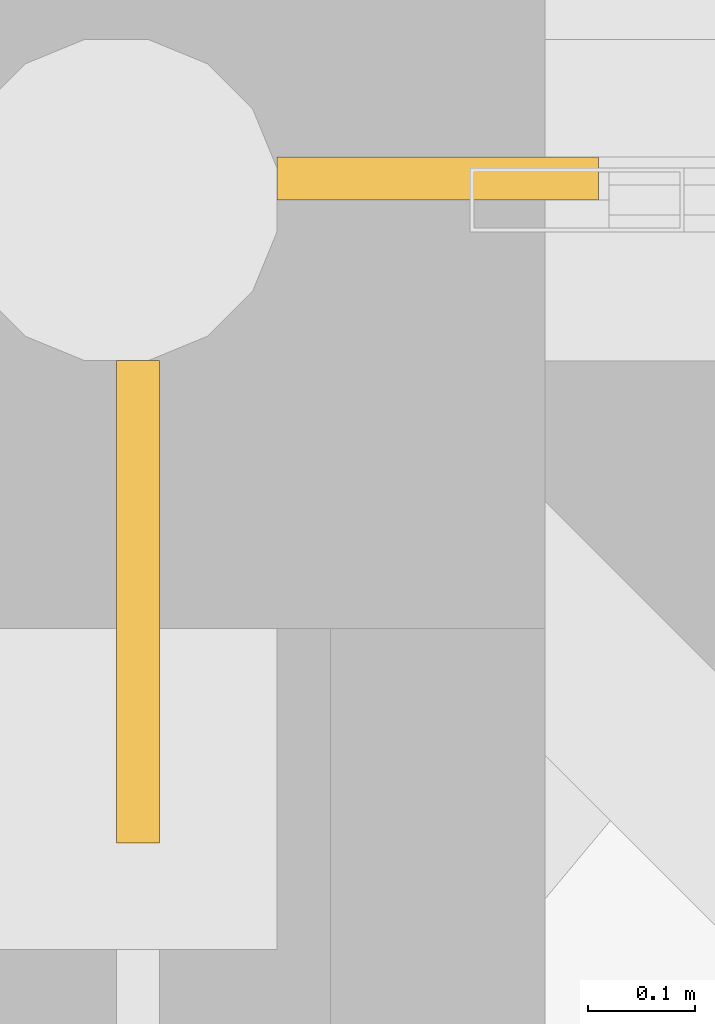
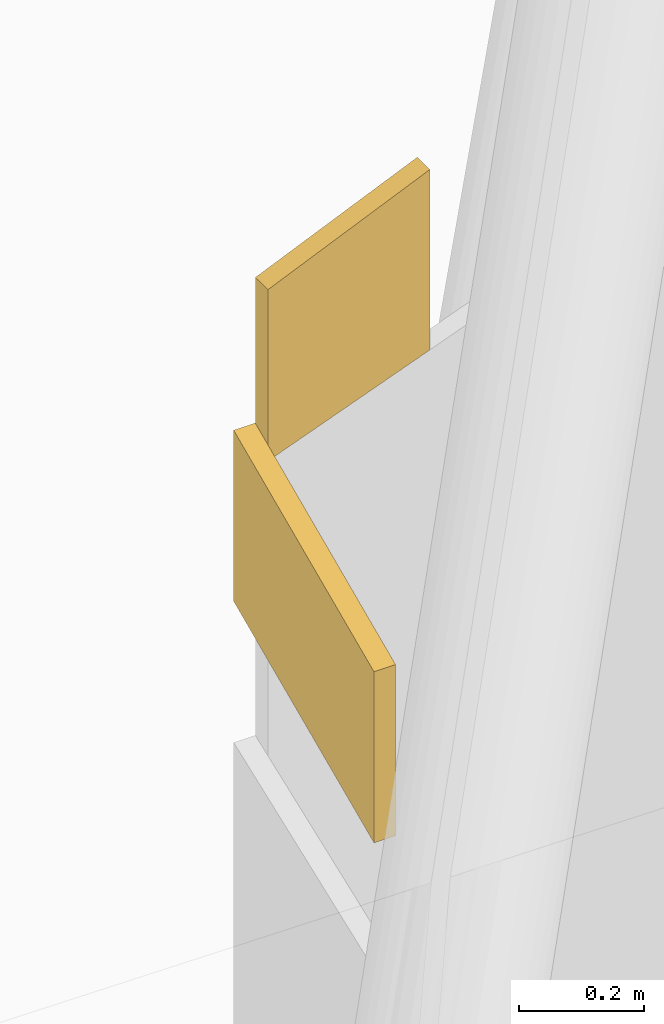
# One storey, part 436 of 437: 2 coverings.
"""IFC4 building model written with IfcOpenShell, lengths in metres."""

from ifc_helpers import new_model, si_unit, direction, frame, origin, place, context, subcontext, project, spatial, polyline, outline, extrude, material, layer, layer_set, type_object, element, save


model = new_model("IFC4")

# Units and contexts
model_context = context("Model", 3, precision=1e-05, world=origin(), true_north=direction((0.0, 1.0)))
body_context = subcontext(model_context, "Body", "Model", "MODEL_VIEW")
ifc_project = project(units=[si_unit("LENGTHUNIT", "METRE"), si_unit("AREAUNIT", "SQUARE_METRE"), si_unit("VOLUMEUNIT", "CUBIC_METRE"), si_unit("PLANEANGLEUNIT", "RADIAN"), si_unit("MASSUNIT", "GRAM", prefix="KILO")], contexts=[model_context])

# Site, building, storey
site_placement = place(None, origin())
site = spatial("IfcSite", under=ifc_project, at=site_placement, CompositionType="ELEMENT")
building_placement = place(site_placement, origin())
building = spatial("IfcBuilding", under=site, at=building_placement, Name="Opaline Strait Convention Centre", CompositionType="ELEMENT")
storey_placement = place(building_placement, frame((0.0, 0.0, 11.5)))
storey = spatial("IfcBuildingStorey", under=building, at=storey_placement, Name="L02", CompositionType="ELEMENT", Elevation=11.5)

# Coverings
ifc_material = material(Name="Aluminium composite cladding panel, white", Category="aluminium")
ifc_layer = layer(ifc_material, 0.0400390625)
ifc_layer_set = layer_set([ifc_layer], Name="Aluminium composite cladding panel, white")
covering_type = type_object("IfcCoveringType", Name="Shell edge frieze panel 40", PredefinedType="CLADDING", material=ifc_layer_set)
covering_1_placement = place(storey_placement, frame((9.0, 179.39990234375, 13.778076171875), z_axis=(-1.0, 0.0, 0.0), x_axis=(0.0, 0.913913708315, 0.405908528802)))
element("IfcCovering", 1, at=covering_1_placement, inside=storey, type_object=covering_type, Name="PFR1 frieze strip W 15", PredefinedType="CLADDING", context=body_context, shape_type="SweptSolid", body=[
    extrude(outline(polyline([(0.0, 0.0), (0.4926015535208537, 2.7755575615628914e-17), (0.356638052174246, 0.3061253925313121), (-0.13596350134660773, 0.3061253925313121), (0.0, 0.0)])), origin(), (0.0, 0.0, -1.0), 0.0400390625),
])
covering_2_placement = place(storey_placement, frame((9.14990234375, 180.0, 13.774169921875), z_axis=(0.0, -1.0, 0.0), x_axis=(0.936297865471, 0.0, 0.351206929196)))
element("IfcCovering", 2, at=covering_2_placement, inside=storey, type_object=covering_type, Name="PFR1 frieze closure N 11", PredefinedType="CLADDING", context=body_context, shape_type="SweptSolid", body=[
    extrude(outline(polyline([(0.0, 0.0), (0.32046300562076835, 0.0), (0.4445343988206353, 0.3307673367519228), (0.11781209001839468, 0.31408038748938627), (0.0, 0.0)])), origin(), (0.0, 0.0, -1.0), 0.0400390625),
])

save(model, "model.ifc")
